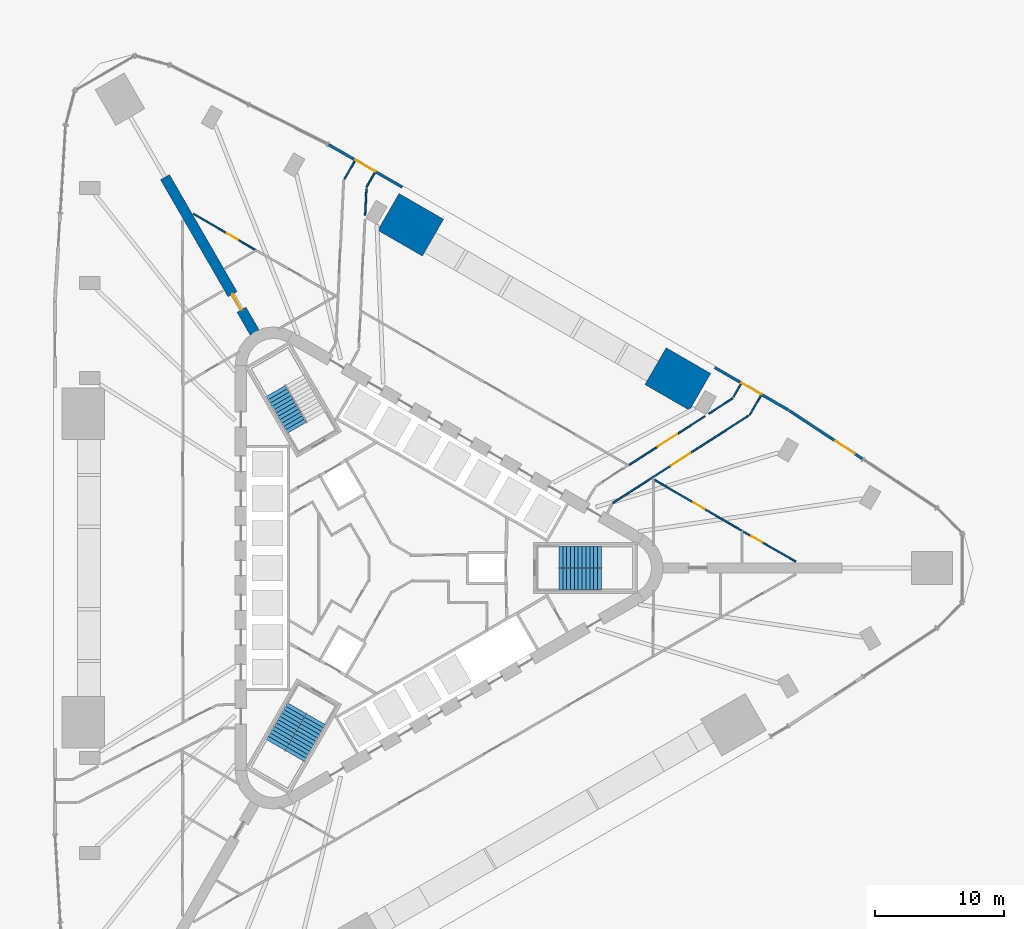
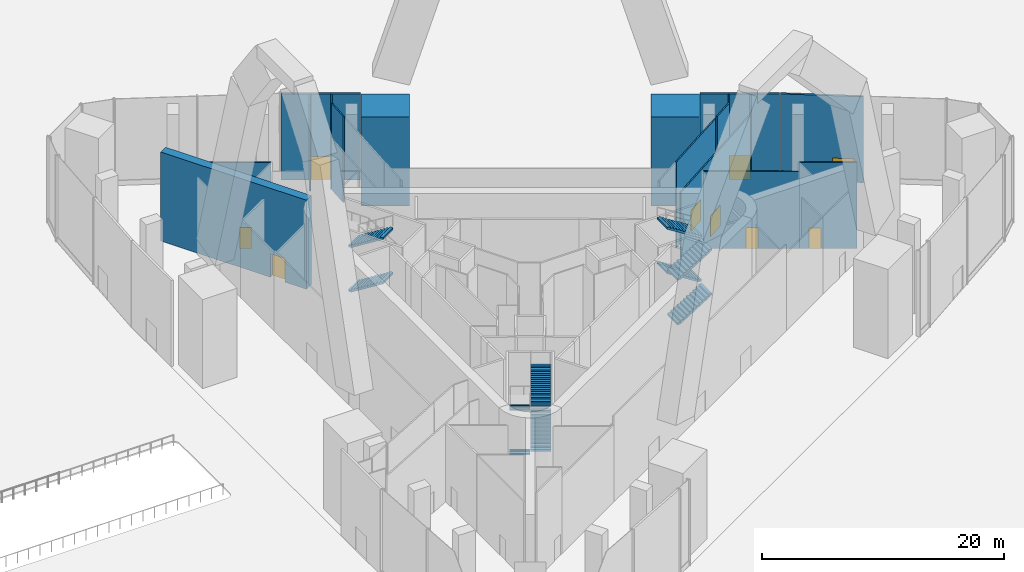
# One storey, part 18 of 22: 17 walls, 10 stair flights, 9 doors, 9 openings, 3 elements without a shape of their own.
"""IFC4 building model written with IfcOpenShell, lengths in metres."""

from ifc_helpers import new_model, si_unit, direction, frame, frame_2d, origin, place, context, subcontext, project, spatial, polyline, rectangle, outline, extrude, material, layer, layer_set, type_object, element, fill, aggregate, save


model = new_model("IFC4")

# Units and contexts
model_context = context("Model", 3, precision=1e-05, world=origin(), true_north=direction((0.0, 1.0)))
body_context = subcontext(model_context, "Body", "Model", "MODEL_VIEW")
ifc_project = project(units=[si_unit("LENGTHUNIT", "METRE"), si_unit("AREAUNIT", "SQUARE_METRE"), si_unit("VOLUMEUNIT", "CUBIC_METRE"), si_unit("PLANEANGLEUNIT", "RADIAN"), si_unit("MASSUNIT", "GRAM", prefix="KILO")], contexts=[model_context])

# Site, building, storey
site_placement = place(None, origin())
site = spatial("IfcSite", under=ifc_project, at=site_placement, CompositionType="ELEMENT")
building_placement = place(site_placement, origin())
building = spatial("IfcBuilding", under=site, at=building_placement, Name="Tanit Gate Tower", CompositionType="ELEMENT")
storey_placement = place(building_placement, origin())
storey = spatial("IfcBuildingStorey", under=building, at=storey_placement, Name="L00", CompositionType="ELEMENT", Elevation=0.0)

# Wall, opening, door
ifc_material_1 = material(Name="Concrete C60/75", Category="concrete")
ifc_layer_1 = layer(ifc_material_1, 0.800048828125)
ifc_layer_set_1 = layer_set([ifc_layer_1], Name="BUTTRESS FIN 800 C60/75")
wall_type_1 = type_object("IfcWallType", Name="BUTTRESS FIN 800 C60/75", PredefinedType="SHEAR", material=ifc_layer_set_1)
wall_1_placement = place(storey_placement, frame((-10.574951171875, 18.31640625, 0.0), z_axis=(0.0, 0.0, 1.0), x_axis=(-0.499996575515, 0.866027380903, 0.0)))
wall_1 = element("IfcWall", 1, at=wall_1_placement, inside=storey, type_object=wall_type_1, Name="BUTTRESS FIN", PredefinedType="SHEAR", context=body_context, shape_type="SweptSolid", body=[
    extrude(rectangle(XDim=13.9541015625, YDim=0.800048828125, at=frame_2d((6.97705078125, 0.0))), origin(), (0.0, 0.0, 1.0), 9.0),
])
opening_1_placement = place(wall_1_placement, frame((2.050048828125, 0.0, 0.0)))
opening_1 = element("IfcOpeningElement", 2, at=opening_1_placement, cuts=wall_1, Name="Opening P14-00-F-NW-1", PredefinedType="OPENING", context=body_context, shape_type="SweptSolid", body=[
    extrude(rectangle(XDim=1.39990234375, YDim=2.39990234375, at=frame_2d((0.699951171875, 1.199951171875))), frame((0.0, 0.41015625, 0.0), z_axis=(0.0, -1.0, 0.0), x_axis=(1.0, 0.0, 0.0)), (0.0, 0.0, 1.0), 0.820068359375),
])
ifc_material_2 = material(Name="Timber door leaf", Category="wood")
door_type_1 = type_object("IfcDoorType", Name="INT-DOOR-FIN-PAIR-1400", OperationType="NOTDEFINED", PredefinedType="NOTDEFINED", material=ifc_material_2)
door_1_placement = place(opening_1_placement, origin())
door_1 = element("IfcDoor", 3, at=door_1_placement, inside=storey, type_object=door_type_1, Name="Door P14-00-F-NW-1", OperationType="DOUBLE_DOOR_SINGLE_SWING", OverallHeight=2.39990234375, OverallWidth=1.39990234375, PredefinedType="NOTDEFINED", context=body_context, shape_type="SweptSolid", body=[
    extrude(rectangle(XDim=1.39990234375, YDim=2.39990234375, at=frame_2d((0.699951171875, 1.199951171875))), frame((0.0, 0.02490234375, 0.0), z_axis=(0.0, -1.0, 0.0), x_axis=(1.0, 0.0, 0.0)), (0.0, 0.0, 1.0), 0.050048828125),
])
fill(opening_1, door_1)

ifc_material_3 = material(Name="Concrete C30/37 rendered", Category="concrete")
ifc_layer_2 = layer(ifc_material_3, 0.199951171875)
ifc_layer_set_2 = layer_set([ifc_layer_2], Name="Facade wall 200 rendered")
wall_type_2 = type_object("IfcWallType", Name="Facade wall 200 rendered", PredefinedType="SOLIDWALL", material=ifc_layer_set_2)
wall_2_placement = place(storey_placement, frame((30.934326171875, 12.2890625, 0.0), z_axis=(0.0, 0.0, 1.0), x_axis=(-0.866064956285, 0.499931486801, 0.0)))
wall_2 = element("IfcWall", 4, at=wall_2_placement, inside=storey, type_object=wall_type_2, Name="Facade wall L00 NE2a.1", PredefinedType="SOLIDWALL", context=body_context, shape_type="SweptSolid", body=[
    extrude(rectangle(XDim=6.60546875, YDim=0.199951171875, at=frame_2d((3.302734375, 0.0))), origin(), (0.0, 0.0, 1.0), 8.699951171875),
])
opening_2_placement = place(wall_2_placement, frame((2.402587890625, 0.0, 0.0)))
opening_2 = element("IfcOpeningElement", 5, at=opening_2_placement, cuts=wall_2, Name="Opening D1", PredefinedType="OPENING", context=body_context, shape_type="SweptSolid", body=[
    extrude(rectangle(XDim=1.800048828125, YDim=2.39990234375, at=frame_2d((0.89990234375, 1.199951171875))), frame((0.0, 0.10986328125, 0.0), z_axis=(0.0, -1.0, 0.0), x_axis=(1.0, 0.0, 0.0)), (0.0, 0.0, 1.0), 0.219970703125),
])
ifc_material_4 = material(Name="Aluminium bronze anodised and glass", Category="aluminium")
door_type_2 = type_object("IfcDoorType", Name="Entrance door double 1800x2400", OperationType="DOUBLE_DOOR_SINGLE_SWING", PredefinedType="DOOR", material=ifc_material_4)
door_2_placement = place(opening_2_placement, frame((1.800048828125, 0.0, 0.0), z_axis=(0.0, 0.0, 1.0), x_axis=(-1.0, 0.0, 0.0)))
door_2 = element("IfcDoor", 6, at=door_2_placement, inside=storey, type_object=door_type_2, Name="Exit door", OperationType="SINGLE_SWING_RIGHT", OverallHeight=2.39990234375, OverallWidth=1.800048828125, PredefinedType="DOOR", context=body_context, shape_type="SweptSolid", body=[
    extrude(rectangle(XDim=1.800048828125, YDim=2.39990234375, at=frame_2d((0.89990234375, 1.199951171875))), frame((0.0, 0.02490234375, 0.0), z_axis=(0.0, -1.0, 0.0), x_axis=(1.0, 0.0, 0.0)), (0.0, 0.0, 1.0), 0.050048828125),
])
fill(opening_2, door_2)

wall_3_placement = place(storey_placement, frame((0.894775390625, 29.629638671875, 0.0), z_axis=(0.0, 0.0, 1.0), x_axis=(-0.866064956285, 0.499931486801, 0.0)))
wall_3 = element("IfcWall", 7, at=wall_3_placement, inside=storey, type_object=wall_type_2, Name="Facade wall L00 NE2b.1", PredefinedType="SOLIDWALL", context=body_context, shape_type="SweptSolid", body=[
    extrude(rectangle(XDim=6.60546875, YDim=0.199951171875, at=frame_2d((3.302734375, 0.0))), origin(), (0.0, 0.0, 1.0), 8.699951171875),
])
opening_3_placement = place(wall_3_placement, frame((2.402587890625, 0.0, 0.0)))
opening_3 = element("IfcOpeningElement", 8, at=opening_3_placement, cuts=wall_3, Name="Opening D1", PredefinedType="OPENING", context=body_context, shape_type="SweptSolid", body=[
    extrude(rectangle(XDim=1.800048828125, YDim=2.39990234375, at=frame_2d((0.89990234375, 1.199951171875))), frame((0.0, 0.10986328125, 0.0), z_axis=(0.0, -1.0, 0.0), x_axis=(1.0, 0.0, 0.0)), (0.0, 0.0, 1.0), 0.219970703125),
])
door_3_placement = place(opening_3_placement, frame((1.800048828125, 0.0, 0.0), z_axis=(0.0, 0.0, 1.0), x_axis=(-1.0, 0.0, 0.0)))
door_3 = element("IfcDoor", 9, at=door_3_placement, inside=storey, type_object=door_type_2, Name="Exit door", OperationType="SINGLE_SWING_RIGHT", OverallHeight=2.39990234375, OverallWidth=1.800048828125, PredefinedType="DOOR", context=body_context, shape_type="SweptSolid", body=[
    extrude(rectangle(XDim=1.800048828125, YDim=2.39990234375, at=frame_2d((0.89990234375, 1.199951171875))), frame((0.0, 0.02490234375, 0.0), z_axis=(0.0, -1.0, 0.0), x_axis=(1.0, 0.0, 0.0)), (0.0, 0.0, 1.0), 0.050048828125),
])
fill(opening_3, door_3)

wall_4_placement = place(storey_placement, frame((36.72802734375, 8.467529296875, 0.0), z_axis=(0.0, 0.0, 1.0), x_axis=(-0.834576358251, 0.550892278262, 0.0)))
wall_4 = element("IfcWall", 10, at=wall_4_placement, inside=storey, type_object=wall_type_2, Name="Facade wall L00 NE1.2", PredefinedType="SOLIDWALL", context=body_context, shape_type="SweptSolid", body=[
    extrude(rectangle(XDim=6.86083984375, YDim=0.199951171875, at=frame_2d((3.430419921875, 0.0))), origin(), (0.0, 0.0, 1.0), 8.699951171875),
])
opening_4_placement = place(wall_4_placement, frame((0.740478515625, 0.0, 0.0)))
opening_4 = element("IfcOpeningElement", 11, at=opening_4_placement, cuts=wall_4, Name="Opening D1", PredefinedType="OPENING", context=body_context, shape_type="SweptSolid", body=[
    extrude(rectangle(XDim=1.800048828125, YDim=2.39990234375, at=frame_2d((0.89990234375, 1.199951171875))), frame((0.0, 0.10986328125, 0.0), z_axis=(0.0, -1.0, 0.0), x_axis=(1.0, 0.0, 0.0)), (0.0, 0.0, 1.0), 0.219970703125),
])
door_4_placement = place(opening_4_placement, frame((1.800048828125, 0.0, 0.0), z_axis=(0.0, 0.0, 1.0), x_axis=(-1.0, 0.0, 0.0)))
door_4 = element("IfcDoor", 12, at=door_4_placement, inside=storey, type_object=door_type_2, Name="Exit door", OperationType="SINGLE_SWING_RIGHT", OverallHeight=2.39990234375, OverallWidth=1.800048828125, PredefinedType="DOOR", context=body_context, shape_type="SweptSolid", body=[
    extrude(rectangle(XDim=1.800048828125, YDim=2.39990234375, at=frame_2d((0.89990234375, 1.199951171875))), frame((0.0, 0.02490234375, 0.0), z_axis=(0.0, -1.0, 0.0), x_axis=(1.0, 0.0, 0.0)), (0.0, 0.0, 1.0), 0.050048828125),
])
fill(opening_4, door_4)

ifc_material_5 = material(Name="Gypsum board partition")
ifc_layer_3 = layer(ifc_material_5, 0.1201171875)
ifc_layer_set_3 = layer_set([ifc_layer_3], Name="INT-WALL-PARTITION")
wall_type_3 = type_object("IfcWallType", Name="INT-WALL-PARTITION", PredefinedType="PARTITIONING", material=ifc_layer_set_3)
wall_5_placement = place(storey_placement, frame((20.50634765625, 6.866455078125, 0.0), z_axis=(0.0, 0.0, 1.0), x_axis=(0.864152740078, -0.503229611425, 0.0)))
wall_5 = element("IfcWall", 13, at=wall_5_placement, inside=storey, type_object=wall_type_3, Name="Wall Partition W103", PredefinedType="PARTITIONING", context=body_context, shape_type="SweptSolid", body=[
    extrude(rectangle(XDim=7.95361328125, YDim=0.1201171875, at=frame_2d((3.976806640625, 0.0))), origin(), (0.0, 0.0, 1.0), 7.780029296875),
])
opening_5_placement = place(wall_5_placement, frame((3.530517578125, 0.0, 0.0)))
opening_5 = element("IfcOpeningElement", 14, at=opening_5_placement, cuts=wall_5, Name="Opening D10-00-35", PredefinedType="OPENING", context=body_context, shape_type="SweptSolid", body=[
    extrude(rectangle(XDim=1.0, YDim=2.10009765625, at=frame_2d((0.5, 1.050048828125))), frame((0.0, 0.070068359375, 0.0), z_axis=(0.0, -1.0, 0.0), x_axis=(1.0, 0.0, 0.0)), (0.0, 0.0, 1.0), 0.14013671875),
])
ifc_material_6 = material(Name="Timber door leaf", Category="wood")
door_type_3 = type_object("IfcDoorType", Name="INT-DOOR-SINGLE-1000", OperationType="NOTDEFINED", PredefinedType="NOTDEFINED", material=ifc_material_6)
door_5_placement = place(opening_5_placement, origin())
door_5 = element("IfcDoor", 15, at=door_5_placement, inside=storey, type_object=door_type_3, Name="Door D10-00-35", OperationType="SINGLE_SWING_LEFT", OverallHeight=2.10009765625, OverallWidth=1.0, PredefinedType="NOTDEFINED", context=body_context, shape_type="SweptSolid", body=[
    extrude(rectangle(XDim=1.0, YDim=2.10009765625, at=frame_2d((0.5, 1.050048828125))), frame((0.0, 0.02490234375, 0.0), z_axis=(0.0, -1.0, 0.0), x_axis=(1.0, 0.0, 0.0)), (0.0, 0.0, 1.0), 0.050048828125),
])
fill(opening_5, door_5)

wall_6_placement = place(storey_placement, frame((27.37939453125, 2.864013671875, 0.0), z_axis=(0.0, 0.0, 1.0), x_axis=(0.868605055941, -0.495505052238, 0.0)))
wall_6 = element("IfcWall", 16, at=wall_6_placement, inside=storey, type_object=wall_type_3, Name="Wall Partition W104", PredefinedType="PARTITIONING", context=body_context, shape_type="SweptSolid", body=[
    extrude(rectangle(XDim=4.77099609375, YDim=0.1201171875, at=frame_2d((2.385498046875, 0.0))), origin(), (0.0, 0.0, 1.0), 8.699951171875),
])
opening_6_placement = place(wall_6_placement, frame((0.800048828125, 0.0, 0.0)))
opening_6 = element("IfcOpeningElement", 17, at=opening_6_placement, cuts=wall_6, Name="Opening D10-00-36", PredefinedType="OPENING", context=body_context, shape_type="SweptSolid", body=[
    extrude(rectangle(XDim=1.0, YDim=2.10009765625, at=frame_2d((0.5, 1.050048828125))), frame((0.0, 0.070068359375, 0.0), z_axis=(0.0, -1.0, 0.0), x_axis=(1.0, 0.0, 0.0)), (0.0, 0.0, 1.0), 0.14013671875),
])
door_6_placement = place(opening_6_placement, origin())
door_6 = element("IfcDoor", 18, at=door_6_placement, inside=storey, type_object=door_type_3, Name="Door D10-00-36", OperationType="SINGLE_SWING_LEFT", OverallHeight=2.10009765625, OverallWidth=1.0, PredefinedType="NOTDEFINED", context=body_context, shape_type="SweptSolid", body=[
    extrude(rectangle(XDim=1.0, YDim=2.10009765625, at=frame_2d((0.5, 1.050048828125))), frame((0.0, 0.02490234375, 0.0), z_axis=(0.0, -1.0, 0.0), x_axis=(1.0, 0.0, 0.0)), (0.0, 0.0, 1.0), 0.050048828125),
])
fill(opening_6, door_6)

wall_7_placement = place(storey_placement, frame((-15.329345703125, 27.55126953125, 0.0), z_axis=(0.0, 0.0, 1.0), x_axis=(0.863752019717, -0.503917104725, 0.0)))
wall_7 = element("IfcWall", 19, at=wall_7_placement, inside=storey, type_object=wall_type_3, Name="Wall Partition W108", PredefinedType="PARTITIONING", context=body_context, shape_type="SweptSolid", body=[
    extrude(rectangle(XDim=5.60009765625, YDim=0.1201171875, at=frame_2d((2.800048828125, 0.0))), origin(), (0.0, 0.0, 1.0), 8.699951171875),
])
opening_7_placement = place(wall_7_placement, frame((2.9921875, 0.0, 0.0)))
opening_7 = element("IfcOpeningElement", 20, at=opening_7_placement, cuts=wall_7, Name="Opening D10-00-38", PredefinedType="OPENING", context=body_context, shape_type="SweptSolid", body=[
    extrude(rectangle(XDim=1.0, YDim=2.10009765625, at=frame_2d((0.5, 1.050048828125))), frame((0.0, 0.070068359375, 0.0), z_axis=(0.0, -1.0, 0.0), x_axis=(1.0, 0.0, 0.0)), (0.0, 0.0, 1.0), 0.14013671875),
])
door_7_placement = place(opening_7_placement, origin())
door_7 = element("IfcDoor", 21, at=door_7_placement, inside=storey, type_object=door_type_3, Name="Door D10-00-38", OperationType="SINGLE_SWING_RIGHT", OverallHeight=2.10009765625, OverallWidth=1.0, PredefinedType="NOTDEFINED", context=body_context, shape_type="SweptSolid", body=[
    extrude(rectangle(XDim=1.0, YDim=2.10009765625, at=frame_2d((0.5, 1.050048828125))), frame((0.0, 0.02490234375, 0.0), z_axis=(0.0, -1.0, 0.0), x_axis=(1.0, 0.0, 0.0)), (0.0, 0.0, 1.0), 0.050048828125),
])
fill(opening_7, door_7)

# Wall
wall_8_placement = place(storey_placement, frame((26.61572265625, 13.201171875, 0.0), z_axis=(0.0, 0.0, 1.0), x_axis=(-0.840785549223, -0.541368322141, 0.0)))
element("IfcWall", 22, at=wall_8_placement, inside=storey, type_object=wall_type_3, Name="Wall Partition W120", PredefinedType="PARTITIONING", context=body_context, shape_type="SweptSolid", body=[
    extrude(rectangle(XDim=2.221923828125, YDim=0.1201171875, at=frame_2d((1.11083984375, 0.0))), origin(), (0.0, 0.0, 1.0), 8.699951171875),
])

# Wall, opening, door
wall_9_placement = place(storey_placement, frame((24.453369140625, 11.808837890625, 0.0), z_axis=(0.0, 0.0, 1.0), x_axis=(-0.840794042164, -0.54135513174, 0.0)))
wall_9 = element("IfcWall", 23, at=wall_9_placement, inside=storey, type_object=wall_type_3, Name="Wall Partition W119", PredefinedType="PARTITIONING", context=body_context, shape_type="SweptSolid", body=[
    extrude(rectangle(XDim=6.998779296875, YDim=0.1201171875, at=frame_2d((3.49951171875, 0.0))), origin(), (0.0, 0.0, 1.0), 8.699951171875),
])
opening_8_placement = place(wall_9_placement, frame((2.566162109375, 0.0, 0.0)))
opening_8 = element("IfcOpeningElement", 24, at=opening_8_placement, cuts=wall_9, Name="Opening D18-00-16", PredefinedType="OPENING", context=body_context, shape_type="SweptSolid", body=[
    extrude(rectangle(XDim=1.800048828125, YDim=2.10009765625, at=frame_2d((0.89990234375, 1.050048828125))), frame((0.0, 0.070068359375, 0.0), z_axis=(0.0, -1.0, 0.0), x_axis=(1.0, 0.0, 0.0)), (0.0, 0.0, 1.0), 0.14013671875),
])
ifc_material_7 = material(Name="Timber door leaf", Category="wood")
door_type_4 = type_object("IfcDoorType", Name="INT-DOOR-PAIR-1800", OperationType="NOTDEFINED", PredefinedType="NOTDEFINED", material=ifc_material_7)
door_8_placement = place(opening_8_placement, origin())
door_8 = element("IfcDoor", 25, at=door_8_placement, inside=storey, type_object=door_type_4, Name="Door D18-00-16", OperationType="DOUBLE_DOOR_SINGLE_SWING", OverallHeight=2.10009765625, OverallWidth=1.800048828125, PredefinedType="NOTDEFINED", context=body_context, shape_type="SweptSolid", body=[
    extrude(rectangle(XDim=1.800048828125, YDim=2.10009765625, at=frame_2d((0.89990234375, 1.050048828125))), frame((0.0, 0.02490234375, 0.0), z_axis=(0.0, -1.0, 0.0), x_axis=(1.0, 0.0, 0.0)), (0.0, 0.0, 1.0), 0.050048828125),
])
fill(opening_8, door_8)

# Walls
wall_10_placement = place(storey_placement, frame((26.669189453125, 13.306884765625, 0.0), z_axis=(0.0, 0.0, 1.0), x_axis=(0.499948909352, 0.866054898975, 0.0)))
element("IfcWall", 26, at=wall_10_placement, inside=storey, type_object=wall_type_3, Name="Wall Partition W121", PredefinedType="PARTITIONING", context=body_context, shape_type="SweptSolid", body=[
    extrude(rectangle(XDim=1.15087890625, YDim=0.1201171875, at=frame_2d((0.575439453125, 0.0))), origin(), (0.0, 0.0, 1.0), 8.699951171875),
])
wall_11_placement = place(storey_placement, frame((27.937255859375, 11.9033203125, 0.0), z_axis=(0.0, 0.0, 1.0), x_axis=(0.499958279983, 0.866049489508, 0.0)))
element("IfcWall", 27, at=wall_11_placement, inside=storey, type_object=wall_type_3, Name="Wall Partition W122", PredefinedType="PARTITIONING", context=body_context, shape_type="SweptSolid", body=[
    extrude(rectangle(XDim=1.732666015625, YDim=0.1201171875, at=frame_2d((0.8662109375, 0.0))), origin(), (0.0, 0.0, 1.0), 8.699951171875),
])

# Wall, opening, door
wall_12_placement = place(storey_placement, frame((17.285888671875, 5.05322265625, 0.0), z_axis=(0.0, 0.0, 1.0), x_axis=(0.840791306929, 0.541359379888, 0.0)))
wall_12 = element("IfcWall", 28, at=wall_12_placement, inside=storey, type_object=wall_type_3, Name="Wall Partition W123", PredefinedType="PARTITIONING", context=body_context, shape_type="SweptSolid", body=[
    extrude(rectangle(XDim=12.545654296875, YDim=0.1201171875, at=frame_2d((6.27294921875, 0.0))), origin(), (0.0, 0.0, 1.0), 7.8798828125),
])
opening_9_placement = place(wall_12_placement, frame((5.376953125, 0.0, 0.0)))
opening_9 = element("IfcOpeningElement", 29, at=opening_9_placement, cuts=wall_12, Name="Opening D18-00-15", PredefinedType="OPENING", context=body_context, shape_type="SweptSolid", body=[
    extrude(rectangle(XDim=1.800048828125, YDim=2.10009765625, at=frame_2d((0.89990234375, 1.050048828125))), frame((0.0, 0.070068359375, 0.0), z_axis=(0.0, -1.0, 0.0), x_axis=(1.0, 0.0, 0.0)), (0.0, 0.0, 1.0), 0.14013671875),
])
door_9_placement = place(opening_9_placement, origin())
door_9 = element("IfcDoor", 30, at=door_9_placement, inside=storey, type_object=door_type_4, Name="Door D18-00-15", OperationType="DOUBLE_DOOR_SINGLE_SWING", OverallHeight=2.10009765625, OverallWidth=1.800048828125, PredefinedType="NOTDEFINED", context=body_context, shape_type="SweptSolid", body=[
    extrude(rectangle(XDim=1.800048828125, YDim=2.10009765625, at=frame_2d((0.89990234375, 1.050048828125))), frame((0.0, 0.02490234375, 0.0), z_axis=(0.0, -1.0, 0.0), x_axis=(1.0, 0.0, 0.0)), (0.0, 0.0, 1.0), 0.050048828125),
])
fill(opening_9, door_9)

# Walls
wall_13_placement = place(storey_placement, frame((-1.236083984375, 30.744384765625, 0.0), z_axis=(0.0, 0.0, 1.0), x_axis=(-0.499885440202, -0.866091534813, 0.0)))
element("IfcWall", 31, at=wall_13_placement, inside=storey, type_object=wall_type_3, Name="Wall Partition W125", PredefinedType="PARTITIONING", context=body_context, shape_type="SweptSolid", body=[
    extrude(rectangle(XDim=1.296630859375, YDim=0.1201171875, at=frame_2d((0.6484375, 0.0))), origin(), (0.0, 0.0, 1.0), 8.699951171875),
])
wall_14_placement = place(storey_placement, frame((-1.983642578125, 27.429931640625, 0.0), z_axis=(0.0, 0.0, 1.0), x_axis=(0.048347587438, 0.998830571613, 0.0)))
element("IfcWall", 32, at=wall_14_placement, inside=storey, type_object=wall_type_3, Name="Wall Partition W126", PredefinedType="PARTITIONING", context=body_context, shape_type="SweptSolid", body=[
    extrude(rectangle(XDim=2.075439453125, YDim=0.1201171875, at=frame_2d((1.03759765625, 0.0))), origin(), (0.0, 0.0, 1.0), 8.699951171875),
])
wall_15_placement = place(storey_placement, frame((-2.794921875, 31.644287109375, 0.0), z_axis=(0.0, 0.0, 1.0), x_axis=(-0.500011000363, -0.866019052629, 0.0)))
element("IfcWall", 33, at=wall_15_placement, inside=storey, type_object=wall_type_3, Name="Wall Partition W130", PredefinedType="PARTITIONING", context=body_context, shape_type="SweptSolid", body=[
    extrude(rectangle(XDim=1.5869140625, YDim=0.1201171875, at=frame_2d((0.79345703125, 0.0))), origin(), (0.0, 0.0, 1.0), 8.699951171875),
])
ifc_material_8 = material(Name="Concrete C60/75", Category="concrete")
ifc_layer_4 = layer(ifc_material_8, 4.0)
ifc_layer_set_4 = layer_set([ifc_layer_4], Name="PIER WALL 4000 C60/75")
wall_type_4 = type_object("IfcWallType", Name="PIER WALL 4000 C60/75", PredefinedType="SHEAR", material=ifc_layer_set_4)
wall_16_placement = place(storey_placement, origin())
element("IfcWall", 34, at=wall_16_placement, inside=storey, type_object=wall_type_4, Name="PIER WALL", PredefinedType="SHEAR", context=body_context, shape_type="SweptSolid", body=[
    extrude(outline(polyline([(24.901123046875, 15.1298828125), (21.43701171875, 17.1298828125), (19.787109375, 14.27197265625), (23.251220703125, 12.27197265625), (24.901123046875, 15.1298828125)])), origin(), (0.0, 0.0, 1.0), 9.0),
])
wall_17_placement = place(storey_placement, origin())
element("IfcWall", 35, at=wall_17_placement, inside=storey, type_object=wall_type_4, Name="PIER WALL", PredefinedType="SHEAR", context=body_context, shape_type="SweptSolid", body=[
    extrude(outline(polyline([(4.116455078125, 27.1298828125), (0.65234375, 29.1298828125), (-0.99755859375, 26.27197265625), (2.466552734375, 24.27197265625), (4.116455078125, 27.1298828125)])), origin(), (0.0, 0.0, 1.0), 9.0),
])

# Stair, stair flights
ifc_material_9 = material(Name="Concrete C40/50", Category="concrete")
stair_type = type_object("IfcStairType", Name="INT-STAIR-EXIT", PredefinedType="HALF_TURN_STAIR", material=ifc_material_9)
stair_1_placement = place(storey_placement, origin())
stair_1 = element("IfcStair", 36, at=stair_1_placement, inside=storey, type_object=stair_type, Name="L00 STAIR S1", PredefinedType="HALF_TURN_STAIR")
ifc_material_10 = material(Name="Concrete C40/50", Category="concrete")
stair_flight_type = type_object("IfcStairFlightType", Name="INT-STAIR-FLIGHT", PredefinedType="STRAIGHT", material=ifc_material_10)
stair_flight_1_placement = place(storey_placement, frame((13.094970703125, -0.8525390625, 0.0), z_axis=(0.0, 0.0, 1.0), x_axis=(1.0, 0.0, 0.0)))
stair_flight_1 = element("IfcStairFlight", 37, at=stair_flight_1_placement, type_object=stair_flight_type, Name="S1 flight 1", NumberOfRisers=12, NumberOfTreads=11, PredefinedType="STRAIGHT", RiserHeight=0.1875, TreadLength=0.3, context=body_context, shape_type="SweptSolid", body=[
    extrude(outline(polyline([(0.0, 0.0), (0.0, 0.1875), (0.300048828125, 0.1875), (0.300048828125, 0.375), (0.60009765625, 0.375), (0.60009765625, 0.5625), (0.89990234375, 0.5625), (0.89990234375, 0.75), (1.199951171875, 0.75), (1.199951171875, 0.9375), (1.5, 0.9375), (1.5, 1.125), (1.800048828125, 1.125), (1.800048828125, 1.3125), (2.10009765625, 1.3125), (2.10009765625, 1.5), (2.39990234375, 1.5), (2.39990234375, 1.6875), (2.699951171875, 1.6875), (2.699951171875, 1.875), (3.0, 1.875), (3.0, 2.0625), (3.300048828125, 2.0625), (3.300048828125, 2.25), (3.300048828125, 1.8857421875), (0.28271484375, 0.0), (0.0, 0.0)])), frame((0.0, 0.84765625, 0.0), z_axis=(0.0, -1.0, 0.0), x_axis=(1.0, 0.0, 0.0)), (0.0, 0.0, 1.0), 1.695068359375),
])
stair_flight_2_placement = place(storey_placement, frame((16.39501953125, 0.8525390625, 2.25), z_axis=(0.0, 0.0, 1.0), x_axis=(-1.0, 0.0, 0.0)))
stair_flight_2 = element("IfcStairFlight", 38, at=stair_flight_2_placement, type_object=stair_flight_type, Name="S1 flight 2", NumberOfRisers=12, NumberOfTreads=11, PredefinedType="STRAIGHT", RiserHeight=0.1875, TreadLength=0.3, context=body_context, shape_type="SweptSolid", body=[
    extrude(outline(polyline([(0.0, 0.0), (0.0, 0.1875), (0.300048828125, 0.1875), (0.300048828125, 0.375), (0.60009765625, 0.375), (0.60009765625, 0.5625), (0.89990234375, 0.5625), (0.89990234375, 0.75), (1.199951171875, 0.75), (1.199951171875, 0.9375), (1.5, 0.9375), (1.5, 1.125), (1.800048828125, 1.125), (1.800048828125, 1.3125), (2.10009765625, 1.3125), (2.10009765625, 1.5), (2.39990234375, 1.5), (2.39990234375, 1.6875), (2.699951171875, 1.6875), (2.699951171875, 1.875), (3.0, 1.875), (3.0, 2.0625), (3.300048828125, 2.0625), (3.300048828125, 2.25), (3.300048828125, 1.8857421875), (0.28271484375, 0.0), (0.0, 0.0)])), frame((0.0, 0.84765625, 0.0), z_axis=(0.0, -1.0, 0.0), x_axis=(1.0, 0.0, 0.0)), (0.0, 0.0, 1.0), 1.695068359375),
])
stair_flight_3_placement = place(storey_placement, frame((13.094970703125, -0.8525390625, 4.5), z_axis=(0.0, 0.0, 1.0), x_axis=(1.0, 0.0, 0.0)))
stair_flight_3 = element("IfcStairFlight", 39, at=stair_flight_3_placement, type_object=stair_flight_type, Name="S1 flight 3", NumberOfRisers=12, NumberOfTreads=11, PredefinedType="STRAIGHT", RiserHeight=0.1875, TreadLength=0.3, context=body_context, shape_type="SweptSolid", body=[
    extrude(outline(polyline([(0.0, 0.0), (0.0, 0.1875), (0.300048828125, 0.1875), (0.300048828125, 0.375), (0.60009765625, 0.375), (0.60009765625, 0.5625), (0.89990234375, 0.5625), (0.89990234375, 0.75), (1.199951171875, 0.75), (1.199951171875, 0.9375), (1.5, 0.9375), (1.5, 1.125), (1.800048828125, 1.125), (1.800048828125, 1.3125), (2.10009765625, 1.3125), (2.10009765625, 1.5), (2.39990234375, 1.5), (2.39990234375, 1.6875), (2.699951171875, 1.6875), (2.699951171875, 1.875), (3.0, 1.875), (3.0, 2.0625), (3.300048828125, 2.0625), (3.300048828125, 2.25), (3.300048828125, 1.8857421875), (0.28271484375, 0.0), (0.0, 0.0)])), frame((0.0, 0.84765625, 0.0), z_axis=(0.0, -1.0, 0.0), x_axis=(1.0, 0.0, 0.0)), (0.0, 0.0, 1.0), 1.695068359375),
])
stair_flight_4_placement = place(storey_placement, frame((16.39501953125, 0.8525390625, 6.75), z_axis=(0.0, 0.0, 1.0), x_axis=(-1.0, 0.0, 0.0)))
stair_flight_4 = element("IfcStairFlight", 40, at=stair_flight_4_placement, type_object=stair_flight_type, Name="S1 flight 4", NumberOfRisers=12, NumberOfTreads=11, PredefinedType="STRAIGHT", RiserHeight=0.1875, TreadLength=0.3, context=body_context, shape_type="SweptSolid", body=[
    extrude(outline(polyline([(0.0, 0.0), (0.0, 0.1875), (0.300048828125, 0.1875), (0.300048828125, 0.375), (0.60009765625, 0.375), (0.60009765625, 0.5625), (0.89990234375, 0.5625), (0.89990234375, 0.75), (1.199951171875, 0.75), (1.199951171875, 0.9375), (1.5, 0.9375), (1.5, 1.125), (1.800048828125, 1.125), (1.800048828125, 1.3125), (2.10009765625, 1.3125), (2.10009765625, 1.5), (2.39990234375, 1.5), (2.39990234375, 1.6875), (2.699951171875, 1.6875), (2.699951171875, 1.875), (3.0, 1.875), (3.0, 2.0625), (3.300048828125, 2.0625), (3.300048828125, 2.25), (3.300048828125, 1.8857421875), (0.28271484375, 0.0), (0.0, 0.0)])), frame((0.0, 0.84765625, 0.0), z_axis=(0.0, -1.0, 0.0), x_axis=(1.0, 0.0, 0.0)), (0.0, 0.0, 1.0), 1.695068359375),
])
aggregate(stair_1, [stair_flight_1, stair_flight_2, stair_flight_3, stair_flight_4])

stair_2_placement = place(storey_placement, origin())
stair_2 = element("IfcStair", 41, at=stair_2_placement, inside=storey, type_object=stair_type, Name="L00 STAIR S2", PredefinedType="HALF_TURN_STAIR")
stair_flight_5_placement = place(storey_placement, frame((-8.935791015625, 13.771240234375, 2.25), z_axis=(0.0, 0.0, 1.0), x_axis=(0.5, -0.866025403784, 0.0)))
stair_flight_5 = element("IfcStairFlight", 42, at=stair_flight_5_placement, type_object=stair_flight_type, Name="S2 flight 2", NumberOfRisers=12, NumberOfTreads=11, PredefinedType="STRAIGHT", RiserHeight=0.1875, TreadLength=0.3, context=body_context, shape_type="SweptSolid", body=[
    extrude(outline(polyline([(0.0, 0.0), (0.0, 0.1875), (0.300048828125, 0.1875), (0.300048828125, 0.375), (0.60009765625, 0.375), (0.60009765625, 0.5625), (0.89990234375, 0.5625), (0.89990234375, 0.75), (1.199951171875, 0.75), (1.199951171875, 0.9375), (1.5, 0.9375), (1.5, 1.125), (1.800048828125, 1.125), (1.800048828125, 1.3125), (2.10009765625, 1.3125), (2.10009765625, 1.5), (2.39990234375, 1.5), (2.39990234375, 1.6875), (2.699951171875, 1.6875), (2.699951171875, 1.875), (3.0, 1.875), (3.0, 2.0625), (3.300048828125, 2.0625), (3.300048828125, 2.25), (3.300048828125, 1.8857421875), (0.28271484375, 0.0), (0.0, 0.0)])), frame((0.0, 0.84716796875, 0.0), z_axis=(0.0, -1.0, 0.0), x_axis=(1.0, 0.0, 0.0)), (0.0, 0.0, 1.0), 1.694091796875),
])
stair_flight_6_placement = place(storey_placement, frame((-8.935791015625, 13.771240234375, 6.75), z_axis=(0.0, 0.0, 1.0), x_axis=(0.5, -0.866025403784, 0.0)))
stair_flight_6 = element("IfcStairFlight", 43, at=stair_flight_6_placement, type_object=stair_flight_type, Name="S2 flight 4", NumberOfRisers=12, NumberOfTreads=11, PredefinedType="STRAIGHT", RiserHeight=0.1875, TreadLength=0.3, context=body_context, shape_type="SweptSolid", body=[
    extrude(outline(polyline([(0.0, 0.0), (0.0, 0.1875), (0.300048828125, 0.1875), (0.300048828125, 0.375), (0.60009765625, 0.375), (0.60009765625, 0.5625), (0.89990234375, 0.5625), (0.89990234375, 0.75), (1.199951171875, 0.75), (1.199951171875, 0.9375), (1.5, 0.9375), (1.5, 1.125), (1.800048828125, 1.125), (1.800048828125, 1.3125), (2.10009765625, 1.3125), (2.10009765625, 1.5), (2.39990234375, 1.5), (2.39990234375, 1.6875), (2.699951171875, 1.6875), (2.699951171875, 1.875), (3.0, 1.875), (3.0, 2.0625), (3.300048828125, 2.0625), (3.300048828125, 2.25), (3.300048828125, 1.8857421875), (0.28271484375, 0.0), (0.0, 0.0)])), frame((0.0, 0.84716796875, 0.0), z_axis=(0.0, -1.0, 0.0), x_axis=(1.0, 0.0, 0.0)), (0.0, 0.0, 1.0), 1.694091796875),
])
aggregate(stair_2, [stair_flight_5, stair_flight_6])

stair_3_placement = place(storey_placement, origin())
stair_3 = element("IfcStair", 44, at=stair_3_placement, inside=storey, type_object=stair_type, Name="L00 STAIR S3", PredefinedType="HALF_TURN_STAIR")
stair_flight_7_placement = place(storey_placement, frame((-7.285888671875, -10.914306640625, 0.0), z_axis=(0.0, 0.0, 1.0), x_axis=(-0.5, -0.866025403784, 0.0)))
stair_flight_7 = element("IfcStairFlight", 45, at=stair_flight_7_placement, type_object=stair_flight_type, Name="S3 flight 1", NumberOfRisers=12, NumberOfTreads=11, PredefinedType="STRAIGHT", RiserHeight=0.1875, TreadLength=0.3, context=body_context, shape_type="SweptSolid", body=[
    extrude(outline(polyline([(0.0, 0.0), (0.0, 0.1875), (0.300048828125, 0.1875), (0.300048828125, 0.375), (0.60009765625, 0.375), (0.60009765625, 0.5625), (0.89990234375, 0.5625), (0.89990234375, 0.75), (1.199951171875, 0.75), (1.199951171875, 0.9375), (1.5, 0.9375), (1.5, 1.125), (1.800048828125, 1.125), (1.800048828125, 1.3125), (2.10009765625, 1.3125), (2.10009765625, 1.5), (2.39990234375, 1.5), (2.39990234375, 1.6875), (2.699951171875, 1.6875), (2.699951171875, 1.875), (3.0, 1.875), (3.0, 2.0625), (3.300048828125, 2.0625), (3.300048828125, 2.25), (3.300048828125, 1.8857421875), (0.28271484375, 0.0), (0.0, 0.0)])), frame((0.0, 0.84765625, 0.0), z_axis=(0.0, -1.0, 0.0), x_axis=(1.0, 0.0, 0.0)), (0.0, 0.0, 1.0), 1.695068359375),
])
stair_flight_8_placement = place(storey_placement, frame((-7.459228515625, -14.624755859375, 2.25), z_axis=(0.0, 0.0, 1.0), x_axis=(0.5, 0.866025403784, 0.0)))
stair_flight_8 = element("IfcStairFlight", 46, at=stair_flight_8_placement, type_object=stair_flight_type, Name="S3 flight 2", NumberOfRisers=12, NumberOfTreads=11, PredefinedType="STRAIGHT", RiserHeight=0.1875, TreadLength=0.3, context=body_context, shape_type="SweptSolid", body=[
    extrude(outline(polyline([(0.0, 0.0), (0.0, 0.1875), (0.300048828125, 0.1875), (0.300048828125, 0.375), (0.60009765625, 0.375), (0.60009765625, 0.5625), (0.89990234375, 0.5625), (0.89990234375, 0.75), (1.199951171875, 0.75), (1.199951171875, 0.9375), (1.5, 0.9375), (1.5, 1.125), (1.800048828125, 1.125), (1.800048828125, 1.3125), (2.10009765625, 1.3125), (2.10009765625, 1.5), (2.39990234375, 1.5), (2.39990234375, 1.6875), (2.699951171875, 1.6875), (2.699951171875, 1.875), (3.0, 1.875), (3.0, 2.0625), (3.300048828125, 2.0625), (3.300048828125, 2.25), (3.300048828125, 1.8857421875), (0.28271484375, 0.0), (0.0, 0.0)])), frame((0.0, 0.84765625, 0.0), z_axis=(0.0, -1.0, 0.0), x_axis=(1.0, 0.0, 0.0)), (0.0, 0.0, 1.0), 1.695068359375),
])
stair_flight_9_placement = place(storey_placement, frame((-7.285888671875, -10.914306640625, 4.5), z_axis=(0.0, 0.0, 1.0), x_axis=(-0.5, -0.866025403784, 0.0)))
stair_flight_9 = element("IfcStairFlight", 47, at=stair_flight_9_placement, type_object=stair_flight_type, Name="S3 flight 3", NumberOfRisers=12, NumberOfTreads=11, PredefinedType="STRAIGHT", RiserHeight=0.1875, TreadLength=0.3, context=body_context, shape_type="SweptSolid", body=[
    extrude(outline(polyline([(0.0, 0.0), (0.0, 0.1875), (0.300048828125, 0.1875), (0.300048828125, 0.375), (0.60009765625, 0.375), (0.60009765625, 0.5625), (0.89990234375, 0.5625), (0.89990234375, 0.75), (1.199951171875, 0.75), (1.199951171875, 0.9375), (1.5, 0.9375), (1.5, 1.125), (1.800048828125, 1.125), (1.800048828125, 1.3125), (2.10009765625, 1.3125), (2.10009765625, 1.5), (2.39990234375, 1.5), (2.39990234375, 1.6875), (2.699951171875, 1.6875), (2.699951171875, 1.875), (3.0, 1.875), (3.0, 2.0625), (3.300048828125, 2.0625), (3.300048828125, 2.25), (3.300048828125, 1.8857421875), (0.28271484375, 0.0), (0.0, 0.0)])), frame((0.0, 0.84765625, 0.0), z_axis=(0.0, -1.0, 0.0), x_axis=(1.0, 0.0, 0.0)), (0.0, 0.0, 1.0), 1.695068359375),
])
stair_flight_10_placement = place(storey_placement, frame((-7.459228515625, -14.624755859375, 6.75), z_axis=(0.0, 0.0, 1.0), x_axis=(0.5, 0.866025403784, 0.0)))
stair_flight_10 = element("IfcStairFlight", 48, at=stair_flight_10_placement, type_object=stair_flight_type, Name="S3 flight 4", NumberOfRisers=12, NumberOfTreads=11, PredefinedType="STRAIGHT", RiserHeight=0.1875, TreadLength=0.3, context=body_context, shape_type="SweptSolid", body=[
    extrude(outline(polyline([(0.0, 0.0), (0.0, 0.1875), (0.300048828125, 0.1875), (0.300048828125, 0.375), (0.60009765625, 0.375), (0.60009765625, 0.5625), (0.89990234375, 0.5625), (0.89990234375, 0.75), (1.199951171875, 0.75), (1.199951171875, 0.9375), (1.5, 0.9375), (1.5, 1.125), (1.800048828125, 1.125), (1.800048828125, 1.3125), (2.10009765625, 1.3125), (2.10009765625, 1.5), (2.39990234375, 1.5), (2.39990234375, 1.6875), (2.699951171875, 1.6875), (2.699951171875, 1.875), (3.0, 1.875), (3.0, 2.0625), (3.300048828125, 2.0625), (3.300048828125, 2.25), (3.300048828125, 1.8857421875), (0.28271484375, 0.0), (0.0, 0.0)])), frame((0.0, 0.84765625, 0.0), z_axis=(0.0, -1.0, 0.0), x_axis=(1.0, 0.0, 0.0)), (0.0, 0.0, 1.0), 1.695068359375),
])
aggregate(stair_3, [stair_flight_7, stair_flight_8, stair_flight_9, stair_flight_10])

save(model, "model.ifc")
